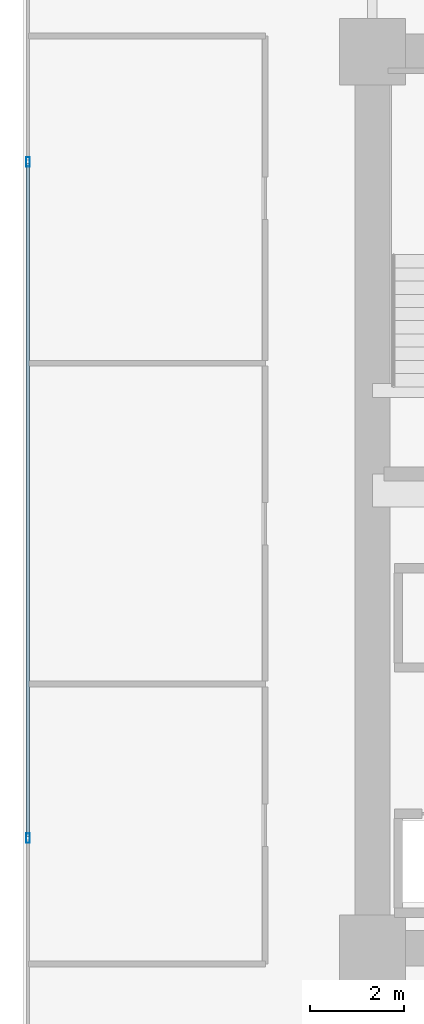
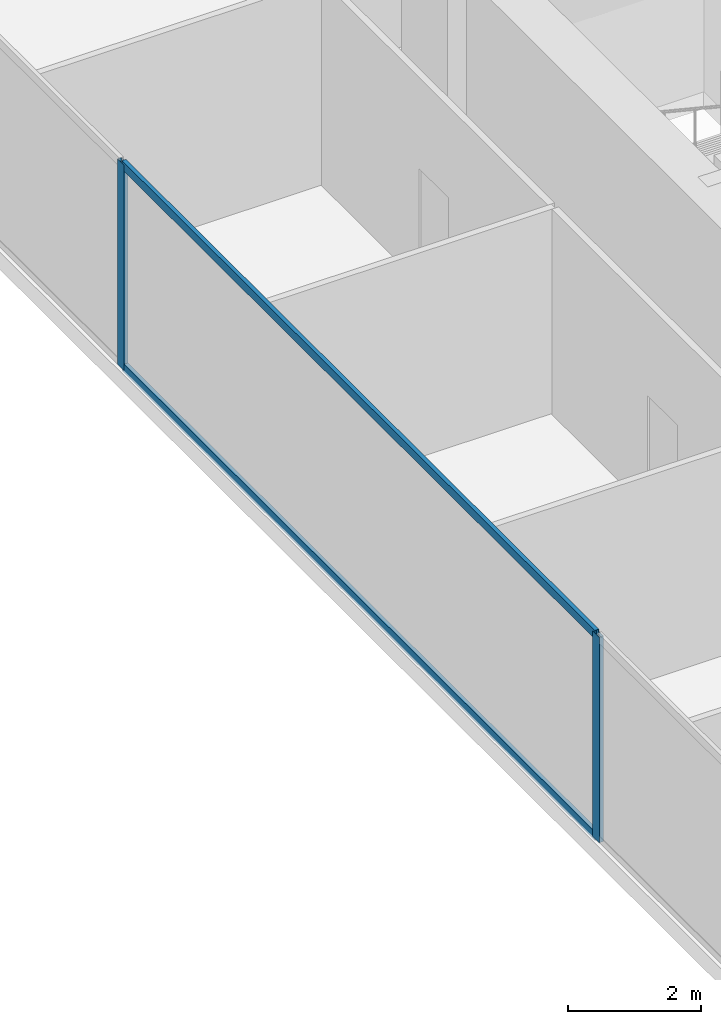
# One storey, part 6 of 37: 4 members, 1 element without a shape of its own.
"""IFC4 building model written with IfcOpenShell, lengths in metres."""

from ifc_helpers import new_model, si_unit, direction, frame, origin, origin_2d, place, context, subcontext, project, spatial, hollow_rectangle, extrude, source, transform, mapped, material, layer, layer_set, material_profile, profile_set, type_object, type_shapes, element, aggregate, save


model = new_model("IFC4")

# Units and contexts
model_context = context("Model", 3, precision=1e-05, world=origin(), true_north=direction((0.0, 1.0)))
body_context = subcontext(model_context, "Body", "Model", "MODEL_VIEW")
ifc_project = project(units=[si_unit("LENGTHUNIT", "METRE"), si_unit("AREAUNIT", "SQUARE_METRE"), si_unit("VOLUMEUNIT", "CUBIC_METRE"), si_unit("PLANEANGLEUNIT", "RADIAN"), si_unit("MASSUNIT", "GRAM", prefix="KILO")], contexts=[model_context])

# Site, building, storey
site_placement = place(None, origin())
site = spatial("IfcSite", under=ifc_project, at=site_placement, CompositionType="ELEMENT")
building_placement = place(site_placement, origin())
building = spatial("IfcBuilding", under=site, at=building_placement, Name="Haelvirn Gate Laboratories", CompositionType="ELEMENT")
storey_placement = place(building_placement, frame((0.0, 0.0, 78.5)))
storey = spatial("IfcBuildingStorey", under=building, at=storey_placement, Name="L19", CompositionType="ELEMENT", Elevation=78.5)

# Curtain wall, members
ifc_material_1 = material(Name="Anodised bronze unitised aluminium & triple low-E glass", Category="aluminium")
ifc_layer = layer(ifc_material_1, 0.18408203125, Name="CW-SYS-2")
ifc_layer_set = layer_set([ifc_layer], Name="Anodised bronze unitised aluminium & triple low-E glass")
curtain_wall_type = type_object("IfcCurtainWallType", Name="CW-SYS-2", PredefinedType="NOTDEFINED", material=ifc_layer_set)
curtain_wall_placement = place(storey_placement, origin())
curtain_wall = element("IfcCurtainWall", 1, at=curtain_wall_placement, inside=storey, type_object=curtain_wall_type, Name="L19 Unitised Curtain Wall CW-L19-P0-E17", PredefinedType="NOTDEFINED")
ifc_material_2 = material(Name="Extruded aluminium 6063-T6 (anodised bronze)", Category="aluminium")
ifc_material_profile_1 = material_profile(ifc_material_2, hollow_rectangle(XDim=0.074951171875, YDim=0.199951171875, WallThickness=0.0048828125, at=origin_2d()), Name="CWM-200x75x5")
ifc_profile_set_1 = profile_set([ifc_material_profile_1], Name="Extruded aluminium 6063-T6 (anodised bronze)")
member_type_1 = type_object("IfcMemberType", Name="CWM-T200", PredefinedType="MULLION", material=ifc_profile_set_1)
shared_shape_1 = source(origin(), body_context, "Body", "SweptSolid", [
    extrude(hollow_rectangle(XDim=0.074951171875, YDim=0.199951171875, WallThickness=0.0048828125, at=origin_2d()), origin(), (0.0, 0.0, 1.0), 3.780029296875),
])
type_shapes(member_type_1, [shared_shape_1])
member_1_placement = place(storey_placement, frame((0.10009765625, 31.466552734375, 0.0), z_axis=(0.0, 0.0, 1.0), x_axis=(1.0, 0.0, 0.0)))
member_1 = element("IfcMember", 2, at=member_1_placement, type_object=member_type_1, Name="CW2 mullion 2", PredefinedType="MULLION", context=body_context, shape_type="MappedRepresentation", body=[
    mapped(shared_shape_1, transform((0.0, 0.0, 0.0), scale=1.0)),
])
member_2_placement = place(storey_placement, frame((0.10009765625, 17.13330078125, 0.0), z_axis=(0.0, 0.0, 1.0), x_axis=(1.0, 0.0, 0.0)))
member_2 = element("IfcMember", 3, at=member_2_placement, type_object=member_type_1, Name="CW2 mullion 3", PredefinedType="MULLION", context=body_context, shape_type="MappedRepresentation", body=[
    mapped(shared_shape_1, transform((0.0, 0.0, 0.0), scale=1.0)),
])
ifc_material_profile_2 = material_profile(ifc_material_2, hollow_rectangle(XDim=0.070068359375, YDim=0.159912109375, WallThickness=0.0048828125, at=origin_2d()), Name="CWT-160x70x5")
ifc_profile_set_2 = profile_set([ifc_material_profile_2], Name="Extruded aluminium 6063-T6 (anodised bronze)")
member_type_2 = type_object("IfcMemberType", Name="CWT-T160", PredefinedType="USERDEFINED", material=ifc_profile_set_2)
shared_shape_2 = source(origin(), body_context, "Body", "SweptSolid", [
    extrude(hollow_rectangle(XDim=0.070068359375, YDim=0.159912109375, WallThickness=0.0048828125, at=origin_2d()), origin(), (0.0, 0.0, 1.0), 14.25830078125),
])
type_shapes(member_type_2, [shared_shape_2])
member_3_placement = place(storey_placement, frame((0.10009765625, 31.42919921875, 0.034912109375), z_axis=(0.0, -1.0, 0.0), x_axis=(1.0, 0.0, 0.0)))
member_3 = element("IfcMember", 4, at=member_3_placement, type_object=member_type_2, Name="CW2 transom 2.1", ObjectType="TRANSOM", PredefinedType="USERDEFINED", context=body_context, shape_type="MappedRepresentation", body=[
    mapped(shared_shape_2, transform((0.0, 0.0, 0.0), scale=1.0)),
])
member_4_placement = place(storey_placement, frame((0.10009765625, 31.42919921875, 3.7451171875), z_axis=(0.0, -1.0, 0.0), x_axis=(1.0, 0.0, 0.0)))
member_4 = element("IfcMember", 5, at=member_4_placement, type_object=member_type_2, Name="CW2 transom 2.2", ObjectType="TRANSOM", PredefinedType="USERDEFINED", context=body_context, shape_type="MappedRepresentation", body=[
    mapped(shared_shape_2, transform((0.0, 0.0, 0.0), scale=1.0)),
])
aggregate(curtain_wall, [member_1, member_2, member_3, member_4])

save(model, "model.ifc")
